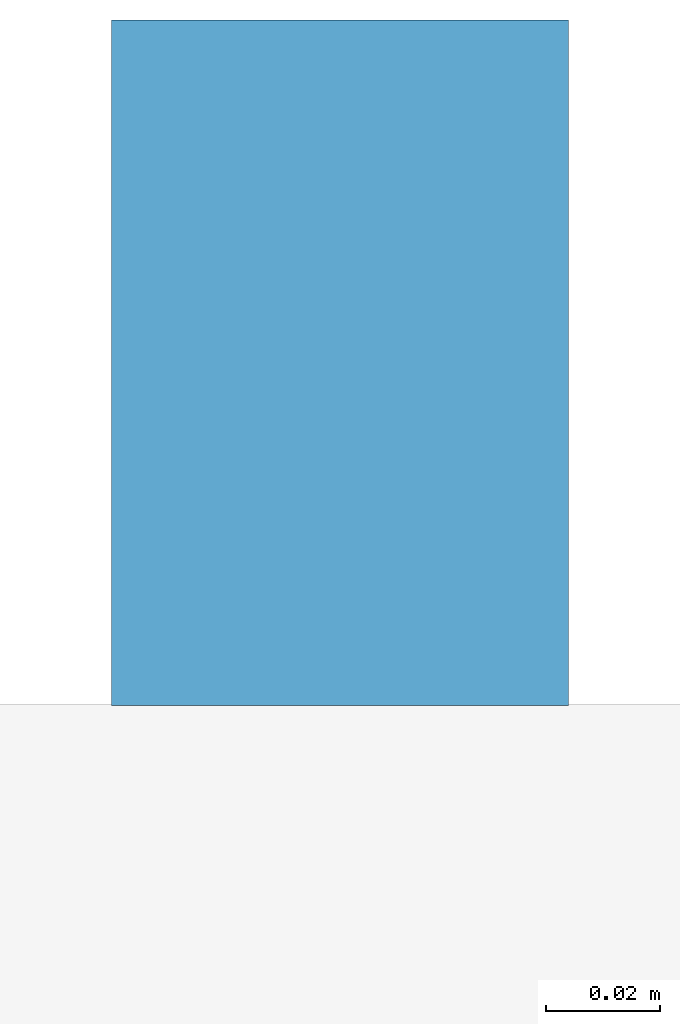
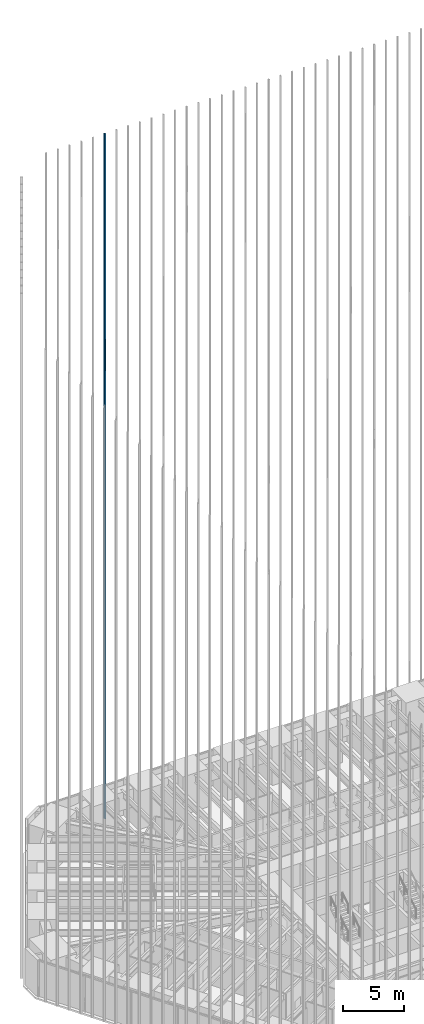
# One storey, part 171 of 256: 1 member, 1 element without a shape of its own.
"""IFC4 building model written with IfcOpenShell, lengths in metres."""

from ifc_helpers import new_model, si_unit, direction, frame, origin, origin_2d, place, context, subcontext, project, spatial, rectangle, extrude, material, material_profile, profile_set, type_object, element, aggregate, save


model = new_model("IFC4")

# Units and contexts
model_context = context("Model", 3, precision=1e-05, world=origin(), true_north=direction((0.0, 1.0)))
body_context = subcontext(model_context, "Body", "Model", "MODEL_VIEW")
ifc_project = project(units=[si_unit("LENGTHUNIT", "METRE"), si_unit("AREAUNIT", "SQUARE_METRE"), si_unit("VOLUMEUNIT", "CUBIC_METRE"), si_unit("PLANEANGLEUNIT", "RADIAN"), si_unit("MASSUNIT", "GRAM", prefix="KILO")], contexts=[model_context])

# Site, building, storey
site_placement = place(None, origin())
site = spatial("IfcSite", under=ifc_project, at=site_placement, CompositionType="ELEMENT")
building_placement = place(site_placement, origin())
building = spatial("IfcBuilding", under=site, at=building_placement, Name="Sandreach Pilgrim Tower", CompositionType="ELEMENT")
storey_placement = place(building_placement, frame((0.0, 0.0, 23.0)))
storey = spatial("IfcBuildingStorey", under=building, at=storey_placement, Name="L04", CompositionType="ELEMENT", Elevation=23.0)

# Curtain wall, member
ifc_material_1 = material(Name="Aluminium framed curtain wall", Category="aluminium")
curtain_wall_type = type_object("IfcCurtainWallType", Name="Hostel tower curtain wall", PredefinedType="NOTDEFINED", material=ifc_material_1)
curtain_wall_placement = place(storey_placement, origin())
curtain_wall = element("IfcCurtainWall", 1, at=curtain_wall_placement, inside=storey, type_object=curtain_wall_type, Name="CW-1 L04 N", PredefinedType="NOTDEFINED")
ifc_material_2 = material(Name="Extruded terracotta on aluminium core", Category="masonry")
ifc_material_profile = material_profile(ifc_material_2, rectangle(XDim=0.080078125, YDim=0.1201171875, at=origin_2d()), Name="TBN 80X120")
ifc_profile_set = profile_set([ifc_material_profile], Name="Extruded terracotta on aluminium core")
member_type = type_object("IfcMemberType", Name="Terracotta baguette north", PredefinedType="USERDEFINED", material=ifc_profile_set)
member_placement = place(storey_placement, frame((-13.253173828125, 24.30859375, 0.0), z_axis=(0.0, 0.0, 1.0), x_axis=(1.0, 0.0, 0.0)))
member = element("IfcMember", 2, at=member_placement, type_object=member_type, Name="Baguette Z1 N06", ObjectType="BAGUETTE", PredefinedType="USERDEFINED", context=body_context, shape_type="SweptSolid", body=[
    extrude(rectangle(XDim=0.080078125, YDim=0.1201171875, at=origin_2d()), origin(), (0.0, 0.0, 1.0), 68.239990234375),
])
aggregate(curtain_wall, [member])

save(model, "model.ifc")
